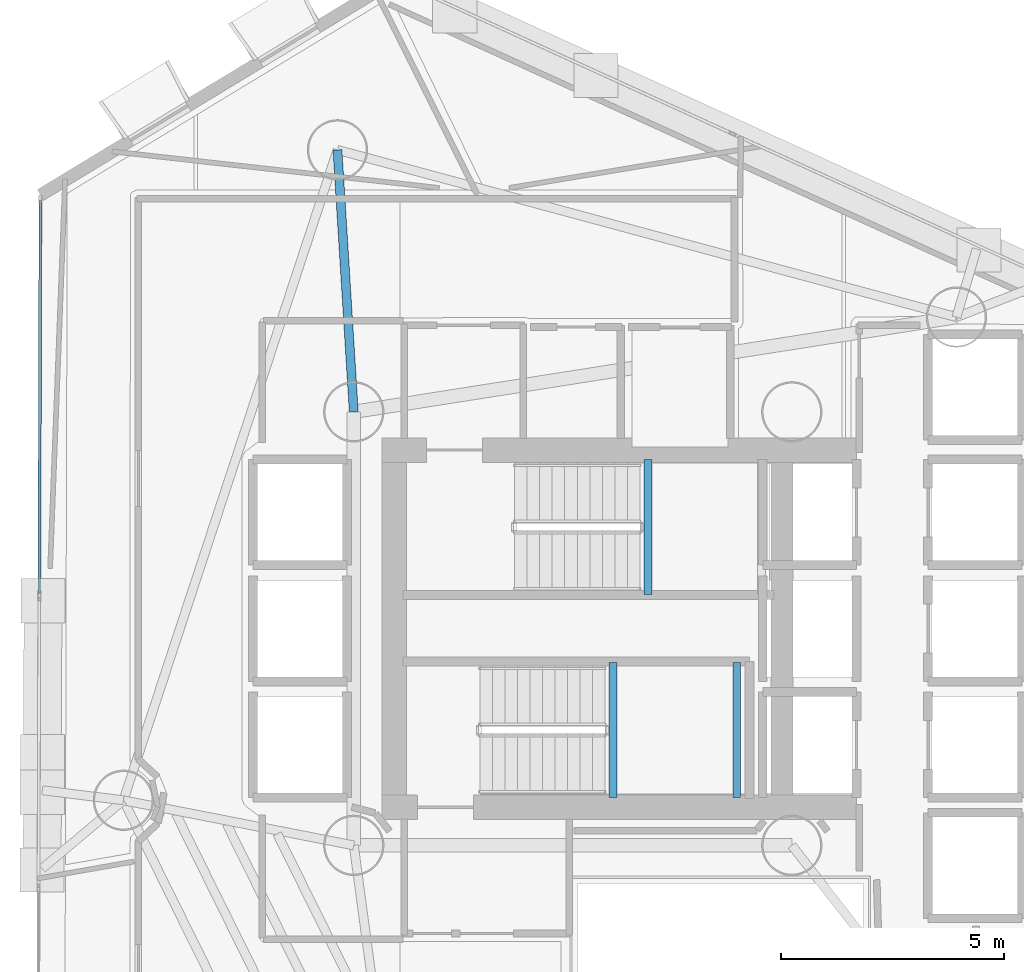
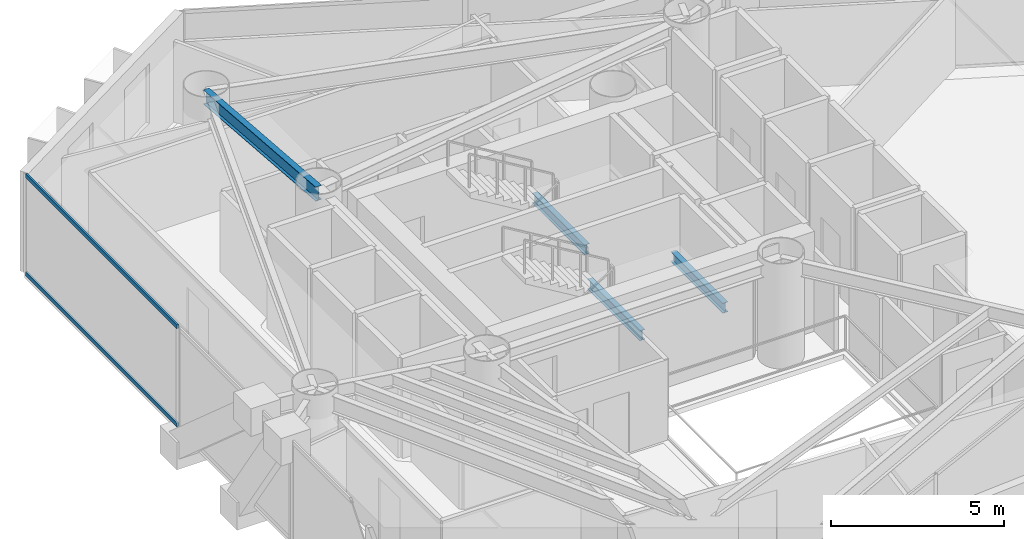
# One storey, part 10 of 23: 4 beams, 2 members, 1 element without a shape of its own.
"""IFC4 building model written with IfcOpenShell, lengths in metres."""

from ifc_helpers import new_model, si_unit, direction, frame, origin, origin_2d, place, context, subcontext, project, spatial, hollow_rectangle, i_section, extrude, material, layer, layer_set, material_profile, profile_set, type_object, element, aggregate, save


model = new_model("IFC4")

# Units and contexts
model_context = context("Model", 3, precision=1e-05, world=origin(), true_north=direction((0.0, 1.0)))
body_context = subcontext(model_context, "Body", "Model", "MODEL_VIEW")
ifc_project = project(units=[si_unit("LENGTHUNIT", "METRE"), si_unit("AREAUNIT", "SQUARE_METRE"), si_unit("VOLUMEUNIT", "CUBIC_METRE"), si_unit("PLANEANGLEUNIT", "RADIAN"), si_unit("MASSUNIT", "GRAM", prefix="KILO")], contexts=[model_context])

# Site, building, storey
site_placement = place(None, origin())
site = spatial("IfcSite", under=ifc_project, at=site_placement, CompositionType="ELEMENT")
building_placement = place(site_placement, origin())
building = spatial("IfcBuilding", under=site, at=building_placement, Name="Qianvela Tower", CompositionType="ELEMENT")
storey_placement = place(building_placement, frame((0.0, 0.0, 147.60009765625)))
storey = spatial("IfcBuildingStorey", under=building, at=storey_placement, Name="L37", CompositionType="ELEMENT", Elevation=147.60009765625)

# Beams
ifc_material_1 = material(Name="Steel Q355B", Category="steel")
ifc_material_profile_1 = material_profile(ifc_material_1, i_section(OverallWidth=0.175048828125, OverallDepth=0.35009765625, WebThickness=0.007080078125, FlangeThickness=0.010986328125, at=origin_2d()), Name="HN350x175x7x11")
ifc_profile_set_1 = profile_set([ifc_material_profile_1], Name="Steel Q355B")
beam_type_1 = type_object("IfcBeamType", Name="BM-HN350-JOIST", PredefinedType="JOIST", material=ifc_profile_set_1)
for number, where, z_axis, x_axis, name in (
    (1, (35.179931640625, 29.4599609375, 1.474853515625), (0.0, 1.0, 0.0), (-1.0, 0.0, 0.0), "L37 Stair ST-1 Landing Support Beam 1.1"),
    (2, (34.39990234375, 24.919921875, 1.474853515625), (0.0, 1.0, 0.0), (-1.0, 0.0, 0.0), "L37 Stair ST-2 Landing Support Beam 1.1"),
    (3, (37.169921875, 24.919921875, 1.474853515625), (0.0, 1.0, 0.0), (-1.0, 0.0, 0.0), "L37 Stair ST-2 Landing Support Beam 1.2"),
):
    element("IfcBeam", number, at=place(storey_placement, frame(where, z_axis=z_axis, x_axis=x_axis)), inside=storey, type_object=beam_type_1, Name=name, PredefinedType="JOIST", context=body_context, shape_type="SweptSolid", body=[
        extrude(i_section(OverallWidth=0.175048828125, OverallDepth=0.35009765625, WebThickness=0.007080078125, FlangeThickness=0.010986328125, at=origin_2d()), origin(), (0.0, 0.0, 1.0), 3.02001953125),
    ])
ifc_material_2 = material(Name="Steel Q355B", Category="steel")
ifc_material_profile_2 = material_profile(ifc_material_2, i_section(OverallWidth=0.199951171875, OverallDepth=0.5, WebThickness=0.010009765625, FlangeThickness=0.01611328125, at=origin_2d()), Name="HN500x200x10x16")
ifc_profile_set_2 = profile_set([ifc_material_profile_2], Name="Steel Q355B")
beam_type_2 = type_object("IfcBeamType", Name="BM-HN500-GIRD", PredefinedType="BEAM", material=ifc_profile_set_2)
beam_placement = place(storey_placement, frame((28.60009765625, 33.550048828125, 3.267822265625), z_axis=(-0.0621556847, 0.998066466153, 0.0), x_axis=(-0.998066466153, -0.0621556847, 0.0)))
element("IfcBeam", 4, at=beam_placement, inside=storey, type_object=beam_type_2, Name="L37 Radial Primary Floor Girder 3", PredefinedType="BEAM", context=body_context, shape_type="SweptSolid", body=[
    extrude(i_section(OverallWidth=0.199951171875, OverallDepth=0.5, WebThickness=0.010009765625, FlangeThickness=0.01611328125, at=origin_2d()), origin(), (0.0, 0.0, 1.0), 5.872314453125),
])

# Curtain wall, members
ifc_material_3 = material(Name="Anodised Architectural Aluminium and Low-E Glass", Category="aluminium")
ifc_layer = layer(ifc_material_3, 0.169921875)
ifc_layer_set = layer_set([ifc_layer], Name="Anodised Architectural Aluminium and Low-E Glass")
curtain_wall_type = type_object("IfcCurtainWallType", Name="CW-COLIV-Z34", PredefinedType="USERDEFINED", material=ifc_layer_set)
curtain_wall_placement = place(storey_placement, origin())
curtain_wall = element("IfcCurtainWall", 5, at=curtain_wall_placement, inside=storey, type_object=curtain_wall_type, Name="L37 CW-COLIV-Z34 Curtain Wall 04A", ObjectType="CURTAIN_WALL_SYSTEM", PredefinedType="USERDEFINED")
ifc_material_4 = material(Name="Anodised Architectural Aluminium 6063-T6", Category="aluminium")
ifc_material_profile_3 = material_profile(ifc_material_4, hollow_rectangle(XDim=0.06494140625, YDim=0.1298828125, WallThickness=0.00439453125, at=origin_2d()), Name="ALU-TRAN-65x130")
ifc_profile_set_3 = profile_set([ifc_material_profile_3], Name="Anodised Architectural Aluminium 6063-T6")
member_type = type_object("IfcMemberType", Name="CW-COLIV-Z34-TRAN", PredefinedType="USERDEFINED", material=ifc_profile_set_3)
member_1_placement = place(storey_placement, frame((21.58935546875, 38.287353515625, 0.032470703125), z_axis=(-0.002777458457, -0.999996142855, 0.0), x_axis=(0.999996142855, -0.002777458457, 0.0)))
member_1 = element("IfcMember", 6, at=member_1_placement, type_object=member_type, Name="CW-4 transom 1.1", ObjectType="TRANSOM", PredefinedType="USERDEFINED", context=body_context, shape_type="SweptSolid", body=[
    extrude(hollow_rectangle(XDim=0.06494140625, YDim=0.1298828125, WallThickness=0.00439453125, at=origin_2d()), origin(), (0.0, 0.0, 1.0), 8.7900390625),
])
member_2_placement = place(storey_placement, frame((21.58935546875, 38.287353515625, 3.4873046875), z_axis=(-0.002777458457, -0.999996142855, 0.0), x_axis=(0.999996142855, -0.002777458457, 0.0)))
member_2 = element("IfcMember", 7, at=member_2_placement, type_object=member_type, Name="CW-4 transom 1.2", ObjectType="TRANSOM", PredefinedType="USERDEFINED", context=body_context, shape_type="SweptSolid", body=[
    extrude(hollow_rectangle(XDim=0.06494140625, YDim=0.1298828125, WallThickness=0.00439453125, at=origin_2d()), origin(), (0.0, 0.0, 1.0), 8.7900390625),
])
aggregate(curtain_wall, [member_1, member_2])

save(model, "model.ifc")
